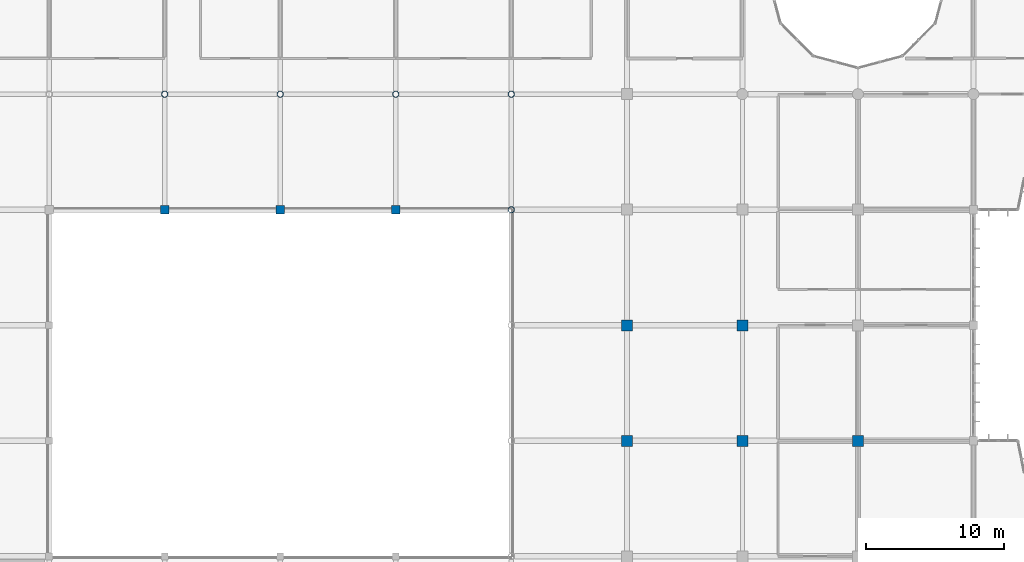
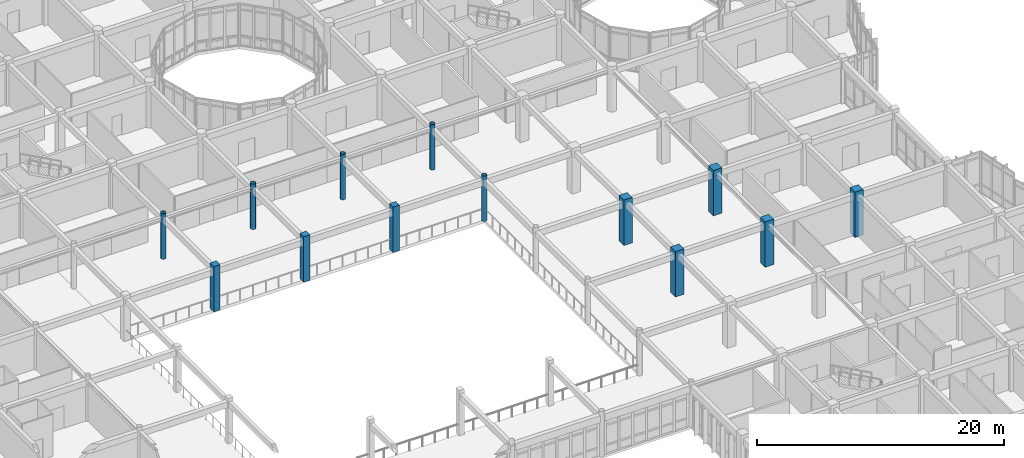
# One storey, part 7 of 144: 13 columns.
"""IFC4 building model written with IfcOpenShell, lengths in metres."""

from ifc_helpers import new_model, si_unit, direction, frame, origin, origin_2d, place, context, subcontext, project, spatial, rectangle, hollow_circle, extrude, material, material_profile, profile_set, type_object, element, save


model = new_model("IFC4")

# Units and contexts
model_context = context("Model", 3, precision=1e-05, world=origin(), true_north=direction((0.0, 1.0)))
body_context = subcontext(model_context, "Body", "Model", "MODEL_VIEW")
ifc_project = project(units=[si_unit("LENGTHUNIT", "METRE"), si_unit("AREAUNIT", "SQUARE_METRE"), si_unit("VOLUMEUNIT", "CUBIC_METRE"), si_unit("PLANEANGLEUNIT", "RADIAN"), si_unit("MASSUNIT", "GRAM", prefix="KILO")], contexts=[model_context])

# Site, building, storey
site_placement = place(None, origin())
site = spatial("IfcSite", under=ifc_project, at=site_placement, CompositionType="ELEMENT")
building_placement = place(site_placement, origin())
building = spatial("IfcBuilding", under=site, at=building_placement, Name="Bramfleet General Hospital", CompositionType="ELEMENT")
storey_placement = place(building_placement, frame((0.0, 0.0, 4.800048828125)))
storey = spatial("IfcBuildingStorey", under=building, at=storey_placement, Name="L01", CompositionType="ELEMENT", Elevation=4.800048828125)

# Columns
ifc_material_1 = material(Name="Steel S355", Category="steel")
ifc_material_profile_1 = material_profile(ifc_material_1, hollow_circle(Radius=0.228515625, WallThickness=0.02001953125, at=origin_2d()), Name="CHS 457.0x20.0")
ifc_profile_set_1 = profile_set([ifc_material_profile_1], Name="Steel S355")
column_type_1 = type_object("IfcColumnType", Name="COL-CHS457", PredefinedType="COLUMN", material=ifc_profile_set_1)
for number, where, z_axis, x_axis, name in (
    (1, (67.199951171875, 58.800048828125, 0.0), (0.0, 0.0, 1.0), (1.0, 0.0, 0.0), "Column COL-L01-08-07"),
    (2, (75.60009765625, 58.800048828125, 0.0), (0.0, 0.0, 1.0), (1.0, 0.0, 0.0), "Column COL-L01-09-07"),
    (3, (84.0, 58.800048828125, 0.0), (0.0, 0.0, 1.0), (1.0, 0.0, 0.0), "Column COL-L01-10-07"),
    (4, (92.39990234375, 50.39990234375, 0.0), (0.0, 0.0, 1.0), (1.0, 0.0, 0.0), "Column COL-L01-11-06"),
    (5, (92.39990234375, 58.800048828125, 0.0), (0.0, 0.0, 1.0), (1.0, 0.0, 0.0), "Column COL-L01-11-07"),
):
    element("IfcColumn", number, at=place(storey_placement, frame(where, z_axis=z_axis, x_axis=x_axis)), inside=storey, type_object=column_type_1, Name=name, PredefinedType="COLUMN", context=body_context, shape_type="SweptSolid", body=[
        extrude(hollow_circle(Radius=0.228515625, WallThickness=0.02001953125, at=origin_2d()), origin(), (0.0, 0.0, 1.0), 4.5),
    ])
ifc_material_2 = material(Name="Concrete C40/50", Category="concrete")
ifc_material_profile_2 = material_profile(ifc_material_2, rectangle(XDim=0.60009765625, YDim=0.60009765625, at=origin_2d()), Name="RC COL 600x600")
ifc_profile_set_2 = profile_set([ifc_material_profile_2], Name="Concrete C40/50")
column_type_2 = type_object("IfcColumnType", Name="COL-RC600", PredefinedType="COLUMN", material=ifc_profile_set_2)
for number, where, z_axis, x_axis, name in (
    (6, (67.199951171875, 50.39990234375, 0.0), (0.0, 0.0, 1.0), (1.0, 0.0, 0.0), "Column COL-L01-08-06"),
    (7, (75.60009765625, 50.39990234375, 0.0), (0.0, 0.0, 1.0), (1.0, 0.0, 0.0), "Column COL-L01-09-06"),
    (8, (84.0, 50.39990234375, 0.0), (0.0, 0.0, 1.0), (1.0, 0.0, 0.0), "Column COL-L01-10-06"),
):
    element("IfcColumn", number, at=place(storey_placement, frame(where, z_axis=z_axis, x_axis=x_axis)), inside=storey, type_object=column_type_2, Name=name, PredefinedType="COLUMN", context=body_context, shape_type="SweptSolid", body=[
        extrude(rectangle(XDim=0.60009765625, YDim=0.60009765625, at=origin_2d()), origin(), (0.0, 0.0, 1.0), 4.5),
    ])
ifc_material_profile_3 = material_profile(ifc_material_2, rectangle(XDim=0.800048828125, YDim=0.800048828125, at=origin_2d()), Name="RC COL 800x800")
ifc_profile_set_3 = profile_set([ifc_material_profile_3], Name="Concrete C40/50")
column_type_3 = type_object("IfcColumnType", Name="COL-RC800", PredefinedType="COLUMN", material=ifc_profile_set_3)
for number, where, z_axis, x_axis, name in (
    (9, (100.800048828125, 33.60009765625, 0.0), (0.0, 0.0, 1.0), (1.0, 0.0, 0.0), "Column COL-L01-12-04"),
    (10, (100.800048828125, 42.0, 0.0), (0.0, 0.0, 1.0), (1.0, 0.0, 0.0), "Column COL-L01-12-05"),
    (11, (109.199951171875, 33.60009765625, 0.0), (0.0, 0.0, 1.0), (1.0, 0.0, 0.0), "Column COL-L01-13-04"),
    (12, (109.199951171875, 42.0, 0.0), (0.0, 0.0, 1.0), (1.0, 0.0, 0.0), "Column COL-L01-13-05"),
    (13, (117.60009765625, 33.60009765625, 0.0), (0.0, 0.0, 1.0), (1.0, 0.0, 0.0), "Column COL-L01-14-04"),
):
    element("IfcColumn", number, at=place(storey_placement, frame(where, z_axis=z_axis, x_axis=x_axis)), inside=storey, type_object=column_type_3, Name=name, PredefinedType="COLUMN", context=body_context, shape_type="SweptSolid", body=[
        extrude(rectangle(XDim=0.800048828125, YDim=0.800048828125, at=origin_2d()), origin(), (0.0, 0.0, 1.0), 4.5),
    ])

save(model, "model.ifc")
